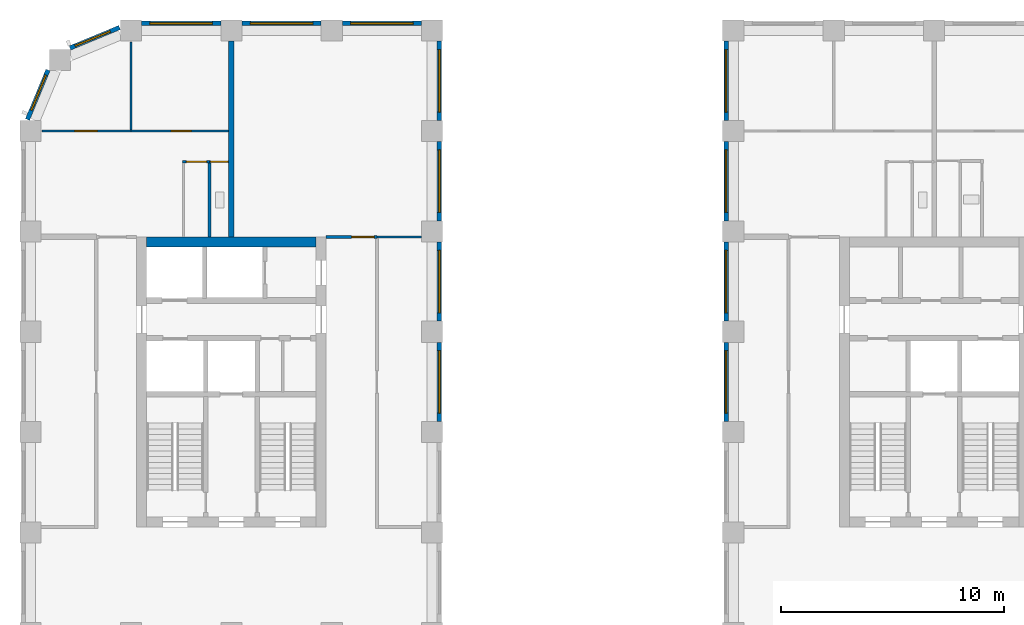
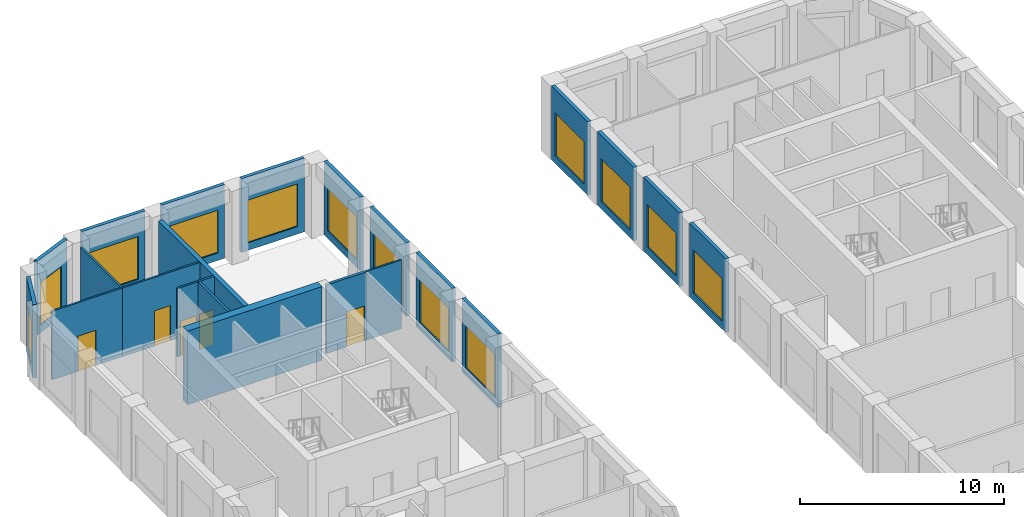
# One storey, part 7 of 12: 23 walls, 13 windows, 5 doors, 18 openings.
"""IFC4 building model written with IfcOpenShell, lengths in metres."""

from ifc_helpers import new_model, si_unit, direction, frame, frame_2d, origin, place, context, subcontext, project, spatial, rectangle, extrude, material, layer, layer_set, type_object, element, fill, save


model = new_model("IFC4")

# Units and contexts
model_context = context("Model", 3, precision=1e-05, world=origin(), true_north=direction((0.0, 1.0)))
body_context = subcontext(model_context, "Body", "Model", "MODEL_VIEW")
ifc_project = project(units=[si_unit("LENGTHUNIT", "METRE"), si_unit("AREAUNIT", "SQUARE_METRE"), si_unit("VOLUMEUNIT", "CUBIC_METRE"), si_unit("PLANEANGLEUNIT", "RADIAN"), si_unit("MASSUNIT", "GRAM", prefix="KILO")], contexts=[model_context])

# Site, building, storey
site_placement = place(None, origin())
site = spatial("IfcSite", under=ifc_project, at=site_placement, CompositionType="ELEMENT")
building_placement = place(site_placement, origin())
building = spatial("IfcBuilding", under=site, at=building_placement, Name="Girih Gate Residences", CompositionType="ELEMENT")
storey_placement = place(building_placement, frame((0.0, 0.0, 155.0)))
storey = spatial("IfcBuildingStorey", under=building, at=storey_placement, Name="L43", CompositionType="ELEMENT", Elevation=155.0)

# Wall
ifc_material_1 = material(Name="Gypsum board on steel studs", Category="steel")
ifc_layer_1 = layer(ifc_material_1, 0.25)
ifc_layer_set_1 = layer_set([ifc_layer_1], Name="Acoustic separating wall 250 mm")
wall_type_1 = type_object("IfcWallType", Name="Acoustic separating wall 250 mm", PredefinedType="PARTITIONING", material=ifc_layer_set_1)
wall_1_placement = place(storey_placement, frame((9.0, 40.25, 0.0), z_axis=(0.0, 0.0, 1.0), x_axis=(0.0, 1.0, 0.0)))
element("IfcWall", 1, at=wall_1_placement, inside=storey, type_object=wall_type_1, Name="L43 partition", PredefinedType="PARTITIONING", context=body_context, shape_type="SweptSolid", body=[
    extrude(rectangle(XDim=8.77490234375, YDim=0.25, at=frame_2d((4.387451171875, 0.0))), origin(), (0.0, 0.0, 1.0), 4.10009765625),
])

# Wall, opening, door
ifc_layer_2 = layer(ifc_material_1, 0.14990234375)
ifc_layer_set_2 = layer_set([ifc_layer_2], Name="Compartment wall 150 mm")
wall_type_2 = type_object("IfcWallType", Name="Compartment wall 150 mm", PredefinedType="PARTITIONING", material=ifc_layer_set_2)
wall_2_placement = place(storey_placement, frame((13.25, 40.25, 0.0), z_axis=(0.0, 0.0, 1.0), x_axis=(1.0, 0.0, 0.0)))
wall_2 = element("IfcWall", 2, at=wall_2_placement, inside=storey, type_object=wall_type_2, Name="L43 partition", PredefinedType="PARTITIONING", context=body_context, shape_type="SweptSolid", body=[
    extrude(rectangle(XDim=2.27490234375, YDim=0.14990234375, at=frame_2d((1.137451171875, 0.0))), origin(), (0.0, 0.0, 1.0), 4.10009765625),
])
opening_1_placement = place(wall_2_placement, frame((1.14501953125, 0.0, 0.0)))
opening_1 = element("IfcOpeningElement", 3, at=opening_1_placement, cuts=wall_2, Name="Opening A43-039", PredefinedType="OPENING", context=body_context, shape_type="SweptSolid", body=[
    extrude(rectangle(XDim=1.0, YDim=2.10009765625, at=frame_2d((0.5, 1.050048828125))), frame((0.0, 0.0849609375, 0.0), z_axis=(0.0, -1.0, 0.0), x_axis=(1.0, 0.0, 0.0)), (0.0, 0.0, 1.0), 0.169921875),
])
ifc_material_2 = material(Name="Timber, fire-rated core", Category="wood")
door_type_1 = type_object("IfcDoorType", Name="Amenity room door 1000x2100 FD30S", OperationType="NOTDEFINED", PredefinedType="DOOR", material=ifc_material_2)
door_1_placement = place(opening_1_placement, origin())
door_1 = element("IfcDoor", 4, at=door_1_placement, inside=storey, type_object=door_type_1, Name="Door A43-039", OperationType="SINGLE_SWING_RIGHT", OverallHeight=2.10009765625, OverallWidth=1.0, PredefinedType="DOOR", context=body_context, shape_type="SweptSolid", body=[
    extrude(rectangle(XDim=1.0, YDim=2.10009765625, at=frame_2d((0.5, 1.050048828125))), frame((0.0, 0.02490234375, 0.0), z_axis=(0.0, -1.0, 0.0), x_axis=(1.0, 0.0, 0.0)), (0.0, 0.0, 1.0), 0.050048828125),
])
fill(opening_1, door_1)

# Wall
ifc_material_3 = material(Name="Concrete C60/75", Category="concrete")
ifc_layer_3 = layer(ifc_material_3, 0.449951171875)
ifc_layer_set_3 = layer_set([ifc_layer_3], Name="Core wall RC 450 Concrete C60/75")
wall_type_3 = type_object("IfcWallType", Name="Core wall RC 450 Concrete C60/75", PredefinedType="SOLIDWALL", material=ifc_layer_set_3)
wall_3_placement = place(storey_placement, frame((5.199951171875, 40.02490234375, 0.0), z_axis=(0.0, 0.0, 1.0), x_axis=(1.0, 0.0, 0.0)))
element("IfcWall", 5, at=wall_3_placement, inside=storey, type_object=wall_type_3, Name="Core wall W-N L43", PredefinedType="SOLIDWALL", context=body_context, shape_type="SweptSolid", body=[
    extrude(rectangle(XDim=7.60009765625, YDim=0.449951171875, at=frame_2d((3.800048828125, 0.0))), origin(), (0.0, 0.0, 1.0), 4.39990234375),
])

# Wall, opening, door
ifc_layer_4 = layer(ifc_material_1, 0.10009765625)
ifc_layer_set_4 = layer_set([ifc_layer_4], Name="Partition 100 mm")
wall_type_4 = type_object("IfcWallType", Name="Partition 100 mm", PredefinedType="PARTITIONING", material=ifc_layer_set_4)
wall_4_placement = place(storey_placement, frame((4.5, 45.0, 0.0), z_axis=(0.0, 0.0, 1.0), x_axis=(1.0, 0.0, 0.0)))
wall_4 = element("IfcWall", 6, at=wall_4_placement, inside=storey, type_object=wall_type_4, Name="L43 partition", PredefinedType="PARTITIONING", context=body_context, shape_type="SweptSolid", body=[
    extrude(rectangle(XDim=4.375, YDim=0.10009765625, at=frame_2d((2.1875, 0.0))), origin(), (0.0, 0.0, 1.0), 4.10009765625),
])
opening_2_placement = place(wall_4_placement, frame((1.800048828125, 0.0, 0.0)))
opening_2 = element("IfcOpeningElement", 7, at=opening_2_placement, cuts=wall_4, Name="Opening A43-009", PredefinedType="OPENING", context=body_context, shape_type="SweptSolid", body=[
    extrude(rectangle(XDim=0.89990234375, YDim=2.10009765625, at=frame_2d((0.449951171875, 1.050048828125))), frame((0.0, 0.06005859375, 0.0), z_axis=(0.0, -1.0, 0.0), x_axis=(1.0, 0.0, 0.0)), (0.0, 0.0, 1.0), 0.1201171875),
])
ifc_material_4 = material(Name="Timber", Category="wood")
door_type_2 = type_object("IfcDoorType", Name="Bedroom door 900x2100", OperationType="NOTDEFINED", PredefinedType="DOOR", material=ifc_material_4)
door_2_placement = place(opening_2_placement, origin())
door_2 = element("IfcDoor", 8, at=door_2_placement, inside=storey, type_object=door_type_2, Name="Door A43-009", OperationType="SINGLE_SWING_RIGHT", OverallHeight=2.10009765625, OverallWidth=0.89990234375, PredefinedType="DOOR", context=body_context, shape_type="SweptSolid", body=[
    extrude(rectangle(XDim=0.89990234375, YDim=2.10009765625, at=frame_2d((0.449951171875, 1.050048828125))), frame((0.0, 0.02490234375, 0.0), z_axis=(0.0, -1.0, 0.0), x_axis=(1.0, 0.0, 0.0)), (0.0, 0.0, 1.0), 0.050048828125),
])
fill(opening_2, door_2)

# Wall
wall_5_placement = place(storey_placement, frame((4.5, 45.050048828125, 0.0), z_axis=(0.0, 0.0, 1.0), x_axis=(0.0, 1.0, 0.0)))
element("IfcWall", 9, at=wall_5_placement, inside=storey, type_object=wall_type_4, Name="L43 partition", PredefinedType="PARTITIONING", context=body_context, shape_type="SweptSolid", body=[
    extrude(rectangle(XDim=3.935791015625, YDim=0.10009765625, at=frame_2d((1.9677734375, 0.0))), origin(), (0.0, 0.0, 1.0), 4.10009765625),
])

# Wall, opening, door
wall_6_placement = place(storey_placement, frame((8.022705078125, 43.6201171875, 0.0), z_axis=(0.0, 0.0, 1.0), x_axis=(-1.0, 0.0, 0.0)))
wall_6 = element("IfcWall", 10, at=wall_6_placement, inside=storey, type_object=wall_type_4, Name="L43 partition", PredefinedType="PARTITIONING", context=body_context, shape_type="SweptSolid", body=[
    extrude(rectangle(XDim=1.22265625, YDim=0.10009765625, at=frame_2d((0.611328125, 0.0))), origin(), (0.0, 0.0, 1.0), 4.10009765625),
])
opening_3_placement = place(wall_6_placement, frame((0.136474609375, 0.0, 0.0)))
opening_3 = element("IfcOpeningElement", 11, at=opening_3_placement, cuts=wall_6, Name="Opening A43-010", PredefinedType="OPENING", context=body_context, shape_type="SweptSolid", body=[
    extrude(rectangle(XDim=0.89990234375, YDim=2.10009765625, at=frame_2d((0.449951171875, 1.050048828125))), frame((0.0, 0.06005859375, 0.0), z_axis=(0.0, -1.0, 0.0), x_axis=(1.0, 0.0, 0.0)), (0.0, 0.0, 1.0), 0.1201171875),
])
door_type_3 = type_object("IfcDoorType", Name="Kitchen door 900x2100", OperationType="NOTDEFINED", PredefinedType="DOOR", material=ifc_material_4)
door_3_placement = place(opening_3_placement, origin())
door_3 = element("IfcDoor", 12, at=door_3_placement, inside=storey, type_object=door_type_3, Name="Door A43-010", OperationType="SINGLE_SWING_LEFT", OverallHeight=2.10009765625, OverallWidth=0.89990234375, PredefinedType="DOOR", context=body_context, shape_type="SweptSolid", body=[
    extrude(rectangle(XDim=0.89990234375, YDim=2.10009765625, at=frame_2d((0.449951171875, 1.050048828125))), frame((0.0, 0.02490234375, 0.0), z_axis=(0.0, -1.0, 0.0), x_axis=(1.0, 0.0, 0.0)), (0.0, 0.0, 1.0), 0.050048828125),
])
fill(opening_3, door_3)

wall_7_placement = place(storey_placement, frame((0.51416015625, 45.0, 0.0), z_axis=(0.0, 0.0, 1.0), x_axis=(1.0, 0.0, 0.0)))
wall_7 = element("IfcWall", 13, at=wall_7_placement, inside=storey, type_object=wall_type_4, Name="L43 partition", PredefinedType="PARTITIONING", context=body_context, shape_type="SweptSolid", body=[
    extrude(rectangle(XDim=3.98583984375, YDim=0.10009765625, at=frame_2d((1.992919921875, 0.0))), origin(), (0.0, 0.0, 1.0), 4.10009765625),
])
opening_4_placement = place(wall_7_placement, frame((1.473388671875, 0.0, 0.0)))
opening_4 = element("IfcOpeningElement", 14, at=opening_4_placement, cuts=wall_7, Name="Opening A43-011", PredefinedType="OPENING", context=body_context, shape_type="SweptSolid", body=[
    extrude(rectangle(XDim=1.0, YDim=2.10009765625, at=frame_2d((0.5, 1.050048828125))), frame((0.0, 0.06005859375, 0.0), z_axis=(0.0, -1.0, 0.0), x_axis=(1.0, 0.0, 0.0)), (0.0, 0.0, 1.0), 0.1201171875),
])
door_type_4 = type_object("IfcDoorType", Name="Living room door 1000x2100", OperationType="NOTDEFINED", PredefinedType="DOOR", material=ifc_material_4)
door_4_placement = place(opening_4_placement, origin())
door_4 = element("IfcDoor", 15, at=door_4_placement, inside=storey, type_object=door_type_4, Name="Door A43-011", OperationType="SINGLE_SWING_LEFT", OverallHeight=2.10009765625, OverallWidth=1.0, PredefinedType="DOOR", context=body_context, shape_type="SweptSolid", body=[
    extrude(rectangle(XDim=1.0, YDim=2.10009765625, at=frame_2d((0.5, 1.050048828125))), frame((0.0, 0.02490234375, 0.0), z_axis=(0.0, -1.0, 0.0), x_axis=(1.0, 0.0, 0.0)), (0.0, 0.0, 1.0), 0.050048828125),
])
fill(opening_4, door_4)

# Wall
wall_8_placement = place(storey_placement, frame((15.52490234375, 40.25, 0.0), z_axis=(0.0, 0.0, 1.0), x_axis=(1.0, 0.0, 0.0)))
element("IfcWall", 16, at=wall_8_placement, inside=storey, type_object=wall_type_4, Name="L43 partition", PredefinedType="PARTITIONING", context=body_context, shape_type="SweptSolid", body=[
    extrude(rectangle(XDim=2.0, YDim=0.10009765625, at=frame_2d((1.0, 0.0))), origin(), (0.0, 0.0, 1.0), 4.10009765625),
])

# Wall, opening, window
ifc_material_5 = material(Name="Precast concrete C50/60", Category="concrete")
ifc_layer_5 = layer(ifc_material_5, 0.06005859375, Name="Outer leaf")
ifc_material_6 = material(Name="Rigid PIR insulation")
ifc_layer_6 = layer(ifc_material_6, 0.090087890625, Name="Insulation")
ifc_material_7 = material(Name="Precast concrete C40/50", Category="concrete")
ifc_layer_7 = layer(ifc_material_7, 0.050048828125, Name="Inner leaf")
ifc_layer_set_5 = layer_set([ifc_layer_5, ifc_layer_6, ifc_layer_7], Name="Precast concrete C50/60 external wall 200")
wall_type_5 = type_object("IfcWallType", Name="Precast concrete C50/60 external wall 200", PredefinedType="SOLIDWALL", material=ifc_layer_set_5)
wall_9_placement = place(storey_placement, frame((13.97509765625, 49.824951171875, 0.0), z_axis=(0.0, 0.0, 1.0), x_axis=(1.0, 0.0, 0.0)))
wall_9 = element("IfcWall", 17, at=wall_9_placement, inside=storey, type_object=wall_type_5, Name="External wall N0180_0495.0", PredefinedType="SOLIDWALL", context=body_context, shape_type="SweptSolid", body=[
    extrude(rectangle(XDim=3.5498046875, YDim=0.199951171875, at=frame_2d((1.77490234375, 0.0))), origin(), (0.0, 0.0, 1.0), 4.39990234375),
])
opening_5_placement = place(wall_9_placement, frame((0.375, 0.0, 0.449951171875)))
opening_5 = element("IfcOpeningElement", 18, at=opening_5_placement, cuts=wall_9, Name="Opening W-6A", PredefinedType="OPENING", context=body_context, shape_type="SweptSolid", body=[
    extrude(rectangle(XDim=2.800048828125, YDim=2.550048828125, at=frame_2d((1.39990234375, 1.27490234375))), frame((0.0, 0.10986328125, 0.0), z_axis=(0.0, -1.0, 0.0), x_axis=(1.0, 0.0, 0.0)), (0.0, 0.0, 1.0), 0.219970703125),
])
ifc_material_8 = material(Name="Double glazing in aluminium frame", Category="aluminium")
window_type_1 = type_object("IfcWindowType", Name="Window W-6A 2800x2550", PartitioningType="SINGLE_PANEL", PredefinedType="WINDOW", material=ifc_material_8)
window_1_placement = place(opening_5_placement, origin())
window_1 = element("IfcWindow", 19, at=window_1_placement, inside=storey, type_object=window_type_1, Name="Window W-6A N0180_0495.0", OverallHeight=2.550048828125, OverallWidth=2.800048828125, PartitioningType="SINGLE_PANEL", PredefinedType="WINDOW", context=body_context, shape_type="SweptSolid", body=[
    extrude(rectangle(XDim=2.800048828125, YDim=2.550048828125, at=frame_2d((1.39990234375, 1.27490234375))), frame((0.0, 0.030029296875, 0.0), z_axis=(0.0, -1.0, 0.0), x_axis=(1.0, 0.0, 0.0)), (0.0, 0.0, 1.0), 0.06005859375),
])
fill(opening_5, window_1)

wall_10_placement = place(storey_placement, frame((9.47509765625, 49.824951171875, 0.0), z_axis=(0.0, 0.0, 1.0), x_axis=(1.0, 0.0, 0.0)))
wall_10 = element("IfcWall", 20, at=wall_10_placement, inside=storey, type_object=wall_type_5, Name="External wall N0180_0495.1", PredefinedType="SOLIDWALL", context=body_context, shape_type="SweptSolid", body=[
    extrude(rectangle(XDim=3.5498046875, YDim=0.199951171875, at=frame_2d((1.77490234375, 0.0))), origin(), (0.0, 0.0, 1.0), 4.39990234375),
])
opening_6_placement = place(wall_10_placement, frame((0.375, 0.0, 0.449951171875)))
opening_6 = element("IfcOpeningElement", 21, at=opening_6_placement, cuts=wall_10, Name="Opening W-6A", PredefinedType="OPENING", context=body_context, shape_type="SweptSolid", body=[
    extrude(rectangle(XDim=2.800048828125, YDim=2.550048828125, at=frame_2d((1.39990234375, 1.27490234375))), frame((0.0, 0.10986328125, 0.0), z_axis=(0.0, -1.0, 0.0), x_axis=(1.0, 0.0, 0.0)), (0.0, 0.0, 1.0), 0.219970703125),
])
window_2_placement = place(opening_6_placement, origin())
window_2 = element("IfcWindow", 22, at=window_2_placement, inside=storey, type_object=window_type_1, Name="Window W-6A N0180_0495.1", OverallHeight=2.550048828125, OverallWidth=2.800048828125, PartitioningType="SINGLE_PANEL", PredefinedType="WINDOW", context=body_context, shape_type="SweptSolid", body=[
    extrude(rectangle(XDim=2.800048828125, YDim=2.550048828125, at=frame_2d((1.39990234375, 1.27490234375))), frame((0.0, 0.030029296875, 0.0), z_axis=(0.0, -1.0, 0.0), x_axis=(1.0, 0.0, 0.0)), (0.0, 0.0, 1.0), 0.06005859375),
])
fill(opening_6, window_2)

wall_11_placement = place(storey_placement, frame((4.97509765625, 49.824951171875, 0.0), z_axis=(0.0, 0.0, 1.0), x_axis=(1.0, 0.0, 0.0)))
wall_11 = element("IfcWall", 23, at=wall_11_placement, inside=storey, type_object=wall_type_5, Name="External wall N0180_0495.2", PredefinedType="SOLIDWALL", context=body_context, shape_type="SweptSolid", body=[
    extrude(rectangle(XDim=3.5498046875, YDim=0.199951171875, at=frame_2d((1.77490234375, 0.0))), origin(), (0.0, 0.0, 1.0), 4.39990234375),
])
opening_7_placement = place(wall_11_placement, frame((0.375, 0.0, 0.449951171875)))
opening_7 = element("IfcOpeningElement", 24, at=opening_7_placement, cuts=wall_11, Name="Opening W-6A", PredefinedType="OPENING", context=body_context, shape_type="SweptSolid", body=[
    extrude(rectangle(XDim=2.800048828125, YDim=2.550048828125, at=frame_2d((1.39990234375, 1.27490234375))), frame((0.0, 0.10986328125, 0.0), z_axis=(0.0, -1.0, 0.0), x_axis=(1.0, 0.0, 0.0)), (0.0, 0.0, 1.0), 0.219970703125),
])
window_3_placement = place(opening_7_placement, origin())
window_3 = element("IfcWindow", 25, at=window_3_placement, inside=storey, type_object=window_type_1, Name="Window W-6A N0180_0495.2", OverallHeight=2.550048828125, OverallWidth=2.800048828125, PartitioningType="SINGLE_PANEL", PredefinedType="WINDOW", context=body_context, shape_type="SweptSolid", body=[
    extrude(rectangle(XDim=2.800048828125, YDim=2.550048828125, at=frame_2d((1.39990234375, 1.27490234375))), frame((0.0, 0.030029296875, 0.0), z_axis=(0.0, -1.0, 0.0), x_axis=(1.0, 0.0, 0.0)), (0.0, 0.0, 1.0), 0.06005859375),
])
fill(opening_7, window_3)

wall_12_placement = place(storey_placement, frame((1.76708984375, 48.7197265625, 0.0), z_axis=(0.0, 0.0, 1.0), x_axis=(0.923880599843, 0.382680855588, 0.0)))
wall_12 = element("IfcWall", 26, at=wall_12_placement, inside=storey, type_object=wall_type_5, Name="External wall NW0045_0495.0", PredefinedType="SOLIDWALL", context=body_context, shape_type="SweptSolid", body=[
    extrude(rectangle(XDim=2.402587890625, YDim=0.199951171875, at=frame_2d((1.201171875, 0.0))), origin(), (0.0, 0.0, 1.0), 4.39990234375),
])
opening_8_placement = place(wall_12_placement, frame((0.25146484375, 0.0, 0.449951171875)))
opening_8 = element("IfcOpeningElement", 27, at=opening_8_placement, cuts=wall_12, Name="Opening W-2F", PredefinedType="OPENING", context=body_context, shape_type="SweptSolid", body=[
    extrude(rectangle(XDim=1.699951171875, YDim=2.550048828125, at=frame_2d((0.85009765625, 1.27490234375))), frame((0.0, 0.10986328125, 0.0), z_axis=(0.0, -1.0, 0.0), x_axis=(1.0, 0.0, 0.0)), (0.0, 0.0, 1.0), 0.219970703125),
])
window_type_2 = type_object("IfcWindowType", Name="Window W-2F 1700x2550", PartitioningType="SINGLE_PANEL", PredefinedType="WINDOW", material=ifc_material_8)
window_4_placement = place(opening_8_placement, origin())
window_4 = element("IfcWindow", 28, at=window_4_placement, inside=storey, type_object=window_type_2, Name="Window W-2F NW0045_0495.0", OverallHeight=2.550048828125, OverallWidth=1.699951171875, PartitioningType="SINGLE_PANEL", PredefinedType="WINDOW", context=body_context, shape_type="SweptSolid", body=[
    extrude(rectangle(XDim=1.699951171875, YDim=2.550048828125, at=frame_2d((0.85009765625, 1.27490234375))), frame((0.0, 0.030029296875, 0.0), z_axis=(0.0, -1.0, 0.0), x_axis=(1.0, 0.0, 0.0)), (0.0, 0.0, 1.0), 0.06005859375),
])
fill(opening_8, window_4)

wall_13_placement = place(storey_placement, frame((-0.13916015625, 45.51318359375, 0.0), z_axis=(0.0, 0.0, 1.0), x_axis=(0.382680855588, 0.923880599843, 0.0)))
wall_13 = element("IfcWall", 29, at=wall_13_placement, inside=storey, type_object=wall_type_5, Name="External wall NW0013_0482.0", PredefinedType="SOLIDWALL", context=body_context, shape_type="SweptSolid", body=[
    extrude(rectangle(XDim=2.402587890625, YDim=0.199951171875, at=frame_2d((1.201171875, 0.0))), origin(), (0.0, 0.0, 1.0), 4.39990234375),
])
opening_9_placement = place(wall_13_placement, frame((0.451171875, 0.0, 0.449951171875)))
opening_9 = element("IfcOpeningElement", 30, at=opening_9_placement, cuts=wall_13, Name="Opening W-2F", PredefinedType="OPENING", context=body_context, shape_type="SweptSolid", body=[
    extrude(rectangle(XDim=1.699951171875, YDim=2.550048828125, at=frame_2d((0.85009765625, 1.27490234375))), frame((0.0, 0.10986328125, 0.0), z_axis=(0.0, -1.0, 0.0), x_axis=(1.0, 0.0, 0.0)), (0.0, 0.0, 1.0), 0.219970703125),
])
window_5_placement = place(opening_9_placement, origin())
window_5 = element("IfcWindow", 31, at=window_5_placement, inside=storey, type_object=window_type_2, Name="Window W-2F NW0013_0482.0", OverallHeight=2.550048828125, OverallWidth=1.699951171875, PartitioningType="SINGLE_PANEL", PredefinedType="WINDOW", context=body_context, shape_type="SweptSolid", body=[
    extrude(rectangle(XDim=1.699951171875, YDim=2.550048828125, at=frame_2d((0.85009765625, 1.27490234375))), frame((0.0, 0.030029296875, 0.0), z_axis=(0.0, -1.0, 0.0), x_axis=(1.0, 0.0, 0.0)), (0.0, 0.0, 1.0), 0.06005859375),
])
fill(opening_9, window_5)

wall_14_placement = place(storey_placement, frame((18.324951171875, 35.52490234375, 0.0), z_axis=(0.0, 0.0, 1.0), x_axis=(0.0, -1.0, 0.0)))
wall_14 = element("IfcWall", 32, at=wall_14_placement, inside=storey, type_object=wall_type_5, Name="External wall E0180_0000.7", PredefinedType="SOLIDWALL", context=body_context, shape_type="SweptSolid", body=[
    extrude(rectangle(XDim=3.5498046875, YDim=0.199951171875, at=frame_2d((1.77490234375, 0.0))), origin(), (0.0, 0.0, 1.0), 4.39990234375),
])
opening_10_placement = place(wall_14_placement, frame((0.375, 0.0, 0.449951171875)))
opening_10 = element("IfcOpeningElement", 33, at=opening_10_placement, cuts=wall_14, Name="Opening W-6A", PredefinedType="OPENING", context=body_context, shape_type="SweptSolid", body=[
    extrude(rectangle(XDim=2.800048828125, YDim=2.550048828125, at=frame_2d((1.39990234375, 1.27490234375))), frame((0.0, 0.10986328125, 0.0), z_axis=(0.0, -1.0, 0.0), x_axis=(1.0, 0.0, 0.0)), (0.0, 0.0, 1.0), 0.219970703125),
])
window_6_placement = place(opening_10_placement, origin())
window_6 = element("IfcWindow", 34, at=window_6_placement, inside=storey, type_object=window_type_1, Name="Window W-6A E0180_0000.7", OverallHeight=2.550048828125, OverallWidth=2.800048828125, PartitioningType="SINGLE_PANEL", PredefinedType="WINDOW", context=body_context, shape_type="SweptSolid", body=[
    extrude(rectangle(XDim=2.800048828125, YDim=2.550048828125, at=frame_2d((1.39990234375, 1.27490234375))), frame((0.0, 0.030029296875, 0.0), z_axis=(0.0, -1.0, 0.0), x_axis=(1.0, 0.0, 0.0)), (0.0, 0.0, 1.0), 0.06005859375),
])
fill(opening_10, window_6)

wall_15_placement = place(storey_placement, frame((18.324951171875, 40.02490234375, 0.0), z_axis=(0.0, 0.0, 1.0), x_axis=(0.0, -1.0, 0.0)))
wall_15 = element("IfcWall", 35, at=wall_15_placement, inside=storey, type_object=wall_type_5, Name="External wall E0180_0000.8", PredefinedType="SOLIDWALL", context=body_context, shape_type="SweptSolid", body=[
    extrude(rectangle(XDim=3.5498046875, YDim=0.199951171875, at=frame_2d((1.77490234375, 0.0))), origin(), (0.0, 0.0, 1.0), 4.39990234375),
])
opening_11_placement = place(wall_15_placement, frame((0.375, 0.0, 0.449951171875)))
opening_11 = element("IfcOpeningElement", 36, at=opening_11_placement, cuts=wall_15, Name="Opening W-6A", PredefinedType="OPENING", context=body_context, shape_type="SweptSolid", body=[
    extrude(rectangle(XDim=2.800048828125, YDim=2.550048828125, at=frame_2d((1.39990234375, 1.27490234375))), frame((0.0, 0.10986328125, 0.0), z_axis=(0.0, -1.0, 0.0), x_axis=(1.0, 0.0, 0.0)), (0.0, 0.0, 1.0), 0.219970703125),
])
window_7_placement = place(opening_11_placement, origin())
window_7 = element("IfcWindow", 37, at=window_7_placement, inside=storey, type_object=window_type_1, Name="Window W-6A E0180_0000.8", OverallHeight=2.550048828125, OverallWidth=2.800048828125, PartitioningType="SINGLE_PANEL", PredefinedType="WINDOW", context=body_context, shape_type="SweptSolid", body=[
    extrude(rectangle(XDim=2.800048828125, YDim=2.550048828125, at=frame_2d((1.39990234375, 1.27490234375))), frame((0.0, 0.030029296875, 0.0), z_axis=(0.0, -1.0, 0.0), x_axis=(1.0, 0.0, 0.0)), (0.0, 0.0, 1.0), 0.06005859375),
])
fill(opening_11, window_7)

wall_16_placement = place(storey_placement, frame((18.324951171875, 44.52490234375, 0.0), z_axis=(0.0, 0.0, 1.0), x_axis=(0.0, -1.0, 0.0)))
wall_16 = element("IfcWall", 38, at=wall_16_placement, inside=storey, type_object=wall_type_5, Name="External wall E0180_0000.9", PredefinedType="SOLIDWALL", context=body_context, shape_type="SweptSolid", body=[
    extrude(rectangle(XDim=3.5498046875, YDim=0.199951171875, at=frame_2d((1.77490234375, 0.0))), origin(), (0.0, 0.0, 1.0), 4.39990234375),
])
opening_12_placement = place(wall_16_placement, frame((0.375, 0.0, 0.449951171875)))
opening_12 = element("IfcOpeningElement", 39, at=opening_12_placement, cuts=wall_16, Name="Opening W-6A", PredefinedType="OPENING", context=body_context, shape_type="SweptSolid", body=[
    extrude(rectangle(XDim=2.800048828125, YDim=2.550048828125, at=frame_2d((1.39990234375, 1.27490234375))), frame((0.0, 0.10986328125, 0.0), z_axis=(0.0, -1.0, 0.0), x_axis=(1.0, 0.0, 0.0)), (0.0, 0.0, 1.0), 0.219970703125),
])
window_8_placement = place(opening_12_placement, origin())
window_8 = element("IfcWindow", 40, at=window_8_placement, inside=storey, type_object=window_type_1, Name="Window W-6A E0180_0000.9", OverallHeight=2.550048828125, OverallWidth=2.800048828125, PartitioningType="SINGLE_PANEL", PredefinedType="WINDOW", context=body_context, shape_type="SweptSolid", body=[
    extrude(rectangle(XDim=2.800048828125, YDim=2.550048828125, at=frame_2d((1.39990234375, 1.27490234375))), frame((0.0, 0.030029296875, 0.0), z_axis=(0.0, -1.0, 0.0), x_axis=(1.0, 0.0, 0.0)), (0.0, 0.0, 1.0), 0.06005859375),
])
fill(opening_12, window_8)

wall_17_placement = place(storey_placement, frame((18.324951171875, 49.02490234375, 0.0), z_axis=(0.0, 0.0, 1.0), x_axis=(0.0, -1.0, 0.0)))
wall_17 = element("IfcWall", 41, at=wall_17_placement, inside=storey, type_object=wall_type_5, Name="External wall E0180_0000.10", PredefinedType="SOLIDWALL", context=body_context, shape_type="SweptSolid", body=[
    extrude(rectangle(XDim=3.5498046875, YDim=0.199951171875, at=frame_2d((1.77490234375, 0.0))), origin(), (0.0, 0.0, 1.0), 4.39990234375),
])
opening_13_placement = place(wall_17_placement, frame((0.375, 0.0, 0.449951171875)))
opening_13 = element("IfcOpeningElement", 42, at=opening_13_placement, cuts=wall_17, Name="Opening W-6A", PredefinedType="OPENING", context=body_context, shape_type="SweptSolid", body=[
    extrude(rectangle(XDim=2.800048828125, YDim=2.550048828125, at=frame_2d((1.39990234375, 1.27490234375))), frame((0.0, 0.10986328125, 0.0), z_axis=(0.0, -1.0, 0.0), x_axis=(1.0, 0.0, 0.0)), (0.0, 0.0, 1.0), 0.219970703125),
])
window_9_placement = place(opening_13_placement, origin())
window_9 = element("IfcWindow", 43, at=window_9_placement, inside=storey, type_object=window_type_1, Name="Window W-6A E0180_0000.10", OverallHeight=2.550048828125, OverallWidth=2.800048828125, PartitioningType="SINGLE_PANEL", PredefinedType="WINDOW", context=body_context, shape_type="SweptSolid", body=[
    extrude(rectangle(XDim=2.800048828125, YDim=2.550048828125, at=frame_2d((1.39990234375, 1.27490234375))), frame((0.0, 0.030029296875, 0.0), z_axis=(0.0, -1.0, 0.0), x_axis=(1.0, 0.0, 0.0)), (0.0, 0.0, 1.0), 0.06005859375),
])
fill(opening_13, window_9)

wall_18_placement = place(storey_placement, frame((31.175048828125, 45.47509765625, 0.0), z_axis=(0.0, 0.0, 1.0), x_axis=(0.0, 1.0, 0.0)))
wall_18 = element("IfcWall", 44, at=wall_18_placement, inside=storey, type_object=wall_type_5, Name="External wall W0315_0495.0", PredefinedType="SOLIDWALL", context=body_context, shape_type="SweptSolid", body=[
    extrude(rectangle(XDim=3.5498046875, YDim=0.199951171875, at=frame_2d((1.77490234375, 0.0))), origin(), (0.0, 0.0, 1.0), 4.39990234375),
])
opening_14_placement = place(wall_18_placement, frame((0.375, 0.0, 0.449951171875)))
opening_14 = element("IfcOpeningElement", 45, at=opening_14_placement, cuts=wall_18, Name="Opening W-6A", PredefinedType="OPENING", context=body_context, shape_type="SweptSolid", body=[
    extrude(rectangle(XDim=2.800048828125, YDim=2.550048828125, at=frame_2d((1.39990234375, 1.27490234375))), frame((0.0, 0.10986328125, 0.0), z_axis=(0.0, -1.0, 0.0), x_axis=(1.0, 0.0, 0.0)), (0.0, 0.0, 1.0), 0.219970703125),
])
window_10_placement = place(opening_14_placement, origin())
window_10 = element("IfcWindow", 46, at=window_10_placement, inside=storey, type_object=window_type_1, Name="Window W-6A W0315_0495.0", OverallHeight=2.550048828125, OverallWidth=2.800048828125, PartitioningType="SINGLE_PANEL", PredefinedType="WINDOW", context=body_context, shape_type="SweptSolid", body=[
    extrude(rectangle(XDim=2.800048828125, YDim=2.550048828125, at=frame_2d((1.39990234375, 1.27490234375))), frame((0.0, 0.030029296875, 0.0), z_axis=(0.0, -1.0, 0.0), x_axis=(1.0, 0.0, 0.0)), (0.0, 0.0, 1.0), 0.06005859375),
])
fill(opening_14, window_10)

wall_19_placement = place(storey_placement, frame((31.175048828125, 40.97509765625, 0.0), z_axis=(0.0, 0.0, 1.0), x_axis=(0.0, 1.0, 0.0)))
wall_19 = element("IfcWall", 47, at=wall_19_placement, inside=storey, type_object=wall_type_5, Name="External wall W0315_0495.1", PredefinedType="SOLIDWALL", context=body_context, shape_type="SweptSolid", body=[
    extrude(rectangle(XDim=3.5498046875, YDim=0.199951171875, at=frame_2d((1.77490234375, 0.0))), origin(), (0.0, 0.0, 1.0), 4.39990234375),
])
opening_15_placement = place(wall_19_placement, frame((0.375, 0.0, 0.449951171875)))
opening_15 = element("IfcOpeningElement", 48, at=opening_15_placement, cuts=wall_19, Name="Opening W-6A", PredefinedType="OPENING", context=body_context, shape_type="SweptSolid", body=[
    extrude(rectangle(XDim=2.800048828125, YDim=2.550048828125, at=frame_2d((1.39990234375, 1.27490234375))), frame((0.0, 0.10986328125, 0.0), z_axis=(0.0, -1.0, 0.0), x_axis=(1.0, 0.0, 0.0)), (0.0, 0.0, 1.0), 0.219970703125),
])
window_11_placement = place(opening_15_placement, origin())
window_11 = element("IfcWindow", 49, at=window_11_placement, inside=storey, type_object=window_type_1, Name="Window W-6A W0315_0495.1", OverallHeight=2.550048828125, OverallWidth=2.800048828125, PartitioningType="SINGLE_PANEL", PredefinedType="WINDOW", context=body_context, shape_type="SweptSolid", body=[
    extrude(rectangle(XDim=2.800048828125, YDim=2.550048828125, at=frame_2d((1.39990234375, 1.27490234375))), frame((0.0, 0.030029296875, 0.0), z_axis=(0.0, -1.0, 0.0), x_axis=(1.0, 0.0, 0.0)), (0.0, 0.0, 1.0), 0.06005859375),
])
fill(opening_15, window_11)

wall_20_placement = place(storey_placement, frame((31.175048828125, 36.47509765625, 0.0), z_axis=(0.0, 0.0, 1.0), x_axis=(0.0, 1.0, 0.0)))
wall_20 = element("IfcWall", 50, at=wall_20_placement, inside=storey, type_object=wall_type_5, Name="External wall W0315_0495.2", PredefinedType="SOLIDWALL", context=body_context, shape_type="SweptSolid", body=[
    extrude(rectangle(XDim=3.5498046875, YDim=0.199951171875, at=frame_2d((1.77490234375, 0.0))), origin(), (0.0, 0.0, 1.0), 4.39990234375),
])
opening_16_placement = place(wall_20_placement, frame((0.375, 0.0, 0.449951171875)))
opening_16 = element("IfcOpeningElement", 51, at=opening_16_placement, cuts=wall_20, Name="Opening W-6A", PredefinedType="OPENING", context=body_context, shape_type="SweptSolid", body=[
    extrude(rectangle(XDim=2.800048828125, YDim=2.550048828125, at=frame_2d((1.39990234375, 1.27490234375))), frame((0.0, 0.10986328125, 0.0), z_axis=(0.0, -1.0, 0.0), x_axis=(1.0, 0.0, 0.0)), (0.0, 0.0, 1.0), 0.219970703125),
])
window_12_placement = place(opening_16_placement, origin())
window_12 = element("IfcWindow", 52, at=window_12_placement, inside=storey, type_object=window_type_1, Name="Window W-6A W0315_0495.2", OverallHeight=2.550048828125, OverallWidth=2.800048828125, PartitioningType="SINGLE_PANEL", PredefinedType="WINDOW", context=body_context, shape_type="SweptSolid", body=[
    extrude(rectangle(XDim=2.800048828125, YDim=2.550048828125, at=frame_2d((1.39990234375, 1.27490234375))), frame((0.0, 0.030029296875, 0.0), z_axis=(0.0, -1.0, 0.0), x_axis=(1.0, 0.0, 0.0)), (0.0, 0.0, 1.0), 0.06005859375),
])
fill(opening_16, window_12)

wall_21_placement = place(storey_placement, frame((31.175048828125, 31.97509765625, 0.0), z_axis=(0.0, 0.0, 1.0), x_axis=(0.0, 1.0, 0.0)))
wall_21 = element("IfcWall", 53, at=wall_21_placement, inside=storey, type_object=wall_type_5, Name="External wall W0315_0495.3", PredefinedType="SOLIDWALL", context=body_context, shape_type="SweptSolid", body=[
    extrude(rectangle(XDim=3.5498046875, YDim=0.199951171875, at=frame_2d((1.77490234375, 0.0))), origin(), (0.0, 0.0, 1.0), 4.39990234375),
])
opening_17_placement = place(wall_21_placement, frame((0.375, 0.0, 0.449951171875)))
opening_17 = element("IfcOpeningElement", 54, at=opening_17_placement, cuts=wall_21, Name="Opening W-6A", PredefinedType="OPENING", context=body_context, shape_type="SweptSolid", body=[
    extrude(rectangle(XDim=2.800048828125, YDim=2.550048828125, at=frame_2d((1.39990234375, 1.27490234375))), frame((0.0, 0.10986328125, 0.0), z_axis=(0.0, -1.0, 0.0), x_axis=(1.0, 0.0, 0.0)), (0.0, 0.0, 1.0), 0.219970703125),
])
window_13_placement = place(opening_17_placement, origin())
window_13 = element("IfcWindow", 55, at=window_13_placement, inside=storey, type_object=window_type_1, Name="Window W-6A W0315_0495.3", OverallHeight=2.550048828125, OverallWidth=2.800048828125, PartitioningType="SINGLE_PANEL", PredefinedType="WINDOW", context=body_context, shape_type="SweptSolid", body=[
    extrude(rectangle(XDim=2.800048828125, YDim=2.550048828125, at=frame_2d((1.39990234375, 1.27490234375))), frame((0.0, 0.030029296875, 0.0), z_axis=(0.0, -1.0, 0.0), x_axis=(1.0, 0.0, 0.0)), (0.0, 0.0, 1.0), 0.06005859375),
])
fill(opening_17, window_13)

# Wall, opening, door
ifc_layer_8 = layer(ifc_material_1, 0.125)
ifc_layer_set_6 = layer_set([ifc_layer_8], Name="Wet room wall 125 mm")
wall_type_6 = type_object("IfcWallType", Name="Wet room wall 125 mm", PredefinedType="PARTITIONING", material=ifc_layer_set_6)
wall_22_placement = place(storey_placement, frame((8.875, 43.6201171875, 0.0), z_axis=(0.0, 0.0, 1.0), x_axis=(-1.0, 0.0, 0.0)))
wall_22 = element("IfcWall", 56, at=wall_22_placement, inside=storey, type_object=wall_type_6, Name="L43 partition", PredefinedType="PARTITIONING", context=body_context, shape_type="SweptSolid", body=[
    extrude(rectangle(XDim=0.852294921875, YDim=0.125, at=frame_2d((0.42626953125, 0.0))), origin(), (0.0, 0.0, 1.0), 4.10009765625),
])
opening_18_placement = place(wall_22_placement, frame((0.02001953125, 0.0, 0.0)))
opening_18 = element("IfcOpeningElement", 57, at=opening_18_placement, cuts=wall_22, Name="Opening A43-008", PredefinedType="OPENING", context=body_context, shape_type="SweptSolid", body=[
    extrude(rectangle(XDim=0.800048828125, YDim=2.10009765625, at=frame_2d((0.39990234375, 1.050048828125))), frame((0.0, 0.072509765625, 0.0), z_axis=(0.0, -1.0, 0.0), x_axis=(1.0, 0.0, 0.0)), (0.0, 0.0, 1.0), 0.14501953125),
])
door_type_5 = type_object("IfcDoorType", Name="Bathroom door 800x2100", OperationType="NOTDEFINED", PredefinedType="DOOR", material=ifc_material_4)
door_5_placement = place(opening_18_placement, origin())
door_5 = element("IfcDoor", 58, at=door_5_placement, inside=storey, type_object=door_type_5, Name="Door A43-008", OperationType="SINGLE_SWING_LEFT", OverallHeight=2.10009765625, OverallWidth=0.800048828125, PredefinedType="DOOR", context=body_context, shape_type="SweptSolid", body=[
    extrude(rectangle(XDim=0.800048828125, YDim=2.10009765625, at=frame_2d((0.39990234375, 1.050048828125))), frame((0.0, 0.02490234375, 0.0), z_axis=(0.0, -1.0, 0.0), x_axis=(1.0, 0.0, 0.0)), (0.0, 0.0, 1.0), 0.050048828125),
])
fill(opening_18, door_5)

# Wall
wall_23_placement = place(storey_placement, frame((8.02294921875, 40.25, 0.0), z_axis=(0.0, 0.0, 1.0), x_axis=(0.0, 1.0, 0.0)))
element("IfcWall", 59, at=wall_23_placement, inside=storey, type_object=wall_type_6, Name="L43 partition", PredefinedType="PARTITIONING", context=body_context, shape_type="SweptSolid", body=[
    extrude(rectangle(XDim=3.3076171875, YDim=0.125, at=frame_2d((1.65380859375, 0.0))), origin(), (0.0, 0.0, 1.0), 4.10009765625),
])

save(model, "model.ifc")
